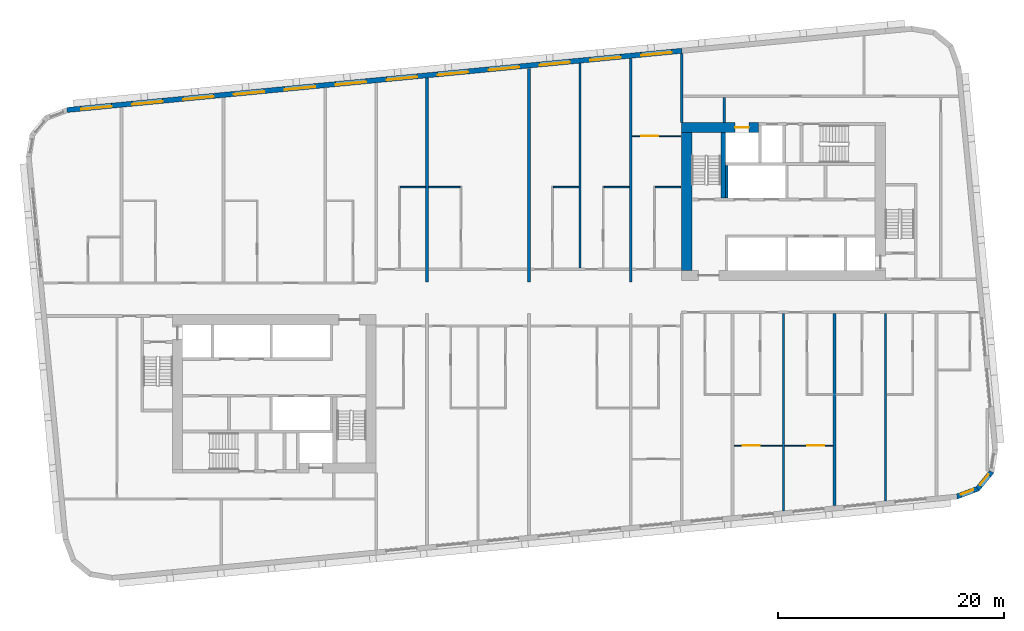
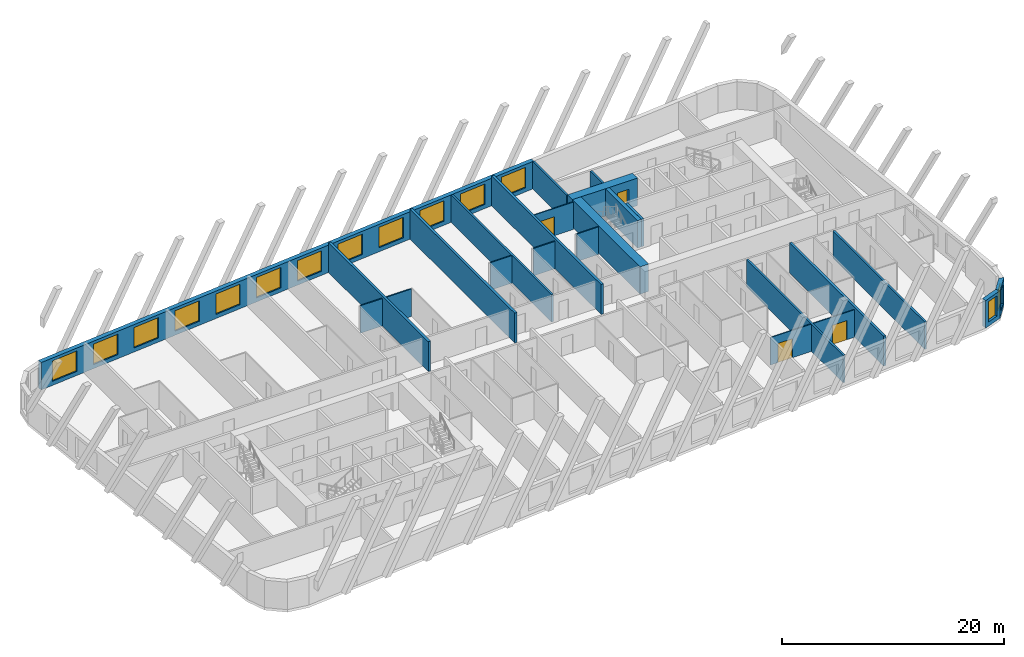
# One storey, part 6 of 13: 24 walls, 14 windows, 4 doors, 18 openings.
"""IFC4 building model written with IfcOpenShell, lengths in metres."""

from ifc_helpers import new_model, si_unit, direction, frame, frame_2d, origin, place, context, subcontext, project, spatial, polyline, rectangle, outline, extrude, material, layer, layer_set, type_object, element, fill, save


model = new_model("IFC4")

# Units and contexts
model_context = context("Model", 3, precision=1e-05, world=origin(), true_north=direction((0.0, 1.0)))
body_context = subcontext(model_context, "Body", "Model", "MODEL_VIEW")
ifc_project = project(units=[si_unit("LENGTHUNIT", "METRE"), si_unit("AREAUNIT", "SQUARE_METRE"), si_unit("VOLUMEUNIT", "CUBIC_METRE"), si_unit("PLANEANGLEUNIT", "RADIAN"), si_unit("MASSUNIT", "GRAM", prefix="KILO")], contexts=[model_context])

# Site, building, storey
site_placement = place(None, origin())
site = spatial("IfcSite", under=ifc_project, at=site_placement, CompositionType="ELEMENT")
building_placement = place(site_placement, origin())
building = spatial("IfcBuilding", under=site, at=building_placement, Name="Kajstack Hotel Tower", CompositionType="ELEMENT")
storey_placement = place(building_placement, frame((0.0, 0.0, 196.60009765625)))
storey = spatial("IfcBuildingStorey", under=building, at=storey_placement, Name="L47", CompositionType="ELEMENT", Elevation=196.60009765625)

# Wall, opening, door
ifc_material_1 = material(Name="Concrete C60/75", Category="concrete")
ifc_layer_1 = layer(ifc_material_1, 0.89990234375)
ifc_layer_set_1 = layer_set([ifc_layer_1], Name="Core wall 900")
wall_type_1 = type_object("IfcWallType", Name="Core wall 900", PredefinedType="SHEAR", material=ifc_layer_set_1)
wall_1_placement = place(storey_placement, frame((13.5, 15.050048828125, 0.0), z_axis=(0.0, 0.0, 1.0), x_axis=(1.0, 0.0, 0.0)))
wall_1 = element("IfcWall", 1, at=wall_1_placement, inside=storey, type_object=wall_type_1, Name="Core wall E RS", PredefinedType="SHEAR", context=body_context, shape_type="SweptSolid", body=[
    extrude(rectangle(XDim=6.800048828125, YDim=0.89990234375, at=frame_2d((3.39990234375, 0.0))), origin(), (0.0, 0.0, 1.0), 3.02001953125),
])
opening_1_placement = place(wall_1_placement, frame((4.72509765625, 0.0, 0.0)))
opening_1 = element("IfcOpeningElement", 2, at=opening_1_placement, cuts=wall_1, Name="Opening LD-SV2", PredefinedType="OPENING", context=body_context, shape_type="SweptSolid", body=[
    extrude(rectangle(XDim=1.199951171875, YDim=2.10009765625, at=frame_2d((0.60009765625, 1.050048828125))), frame((0.0, 0.4599609375, 0.0), z_axis=(0.0, -1.0, 0.0), x_axis=(1.0, 0.0, 0.0)), (0.0, 0.0, 1.0), 0.919921875),
])
ifc_material_2 = material(Name="Stainless steel", Category="steel")
door_type_1 = type_object("IfcDoorType", Name="Lift landing door 1200", OperationType="SLIDING_TO_LEFT", PredefinedType="DOOR", material=ifc_material_2)
door_1_placement = place(opening_1_placement, origin())
door_1 = element("IfcDoor", 3, at=door_1_placement, inside=storey, type_object=door_type_1, Name="Landing door SV2", OperationType="SLIDING_TO_LEFT", OverallHeight=2.10009765625, OverallWidth=1.199951171875, PredefinedType="DOOR", context=body_context, shape_type="SweptSolid", body=[
    extrude(rectangle(XDim=1.199951171875, YDim=2.10009765625, at=frame_2d((0.60009765625, 1.050048828125))), frame((0.0, 0.02490234375, 0.0), z_axis=(0.0, -1.0, 0.0), x_axis=(1.0, 0.0, 0.0)), (0.0, 0.0, 1.0), 0.050048828125),
])
fill(opening_1, door_1)

# Walls
wall_2_placement = place(storey_placement, frame((13.949951171875, 2.39990234375, 0.0), z_axis=(0.0, 0.0, 1.0), x_axis=(0.0, 1.0, 0.0)))
element("IfcWall", 4, at=wall_2_placement, inside=storey, type_object=wall_type_1, Name="Core wall E RE", PredefinedType="SHEAR", context=body_context, shape_type="SweptSolid", body=[
    extrude(rectangle(XDim=12.2001953125, YDim=0.89990234375, at=frame_2d((6.10009765625, 0.0))), origin(), (0.0, 0.0, 1.0), 3.02001953125),
])
ifc_material_3 = material(Name="Twin-frame gypsum board on steel studs, mineral wool", Category="steel")
ifc_layer_2 = layer(ifc_material_3, 0.199951171875)
ifc_layer_set_2 = layer_set([ifc_layer_2], Name="Demising wall 200")
wall_type_2 = type_object("IfcWallType", Name="Demising wall 200", PredefinedType="PARTITIONING", material=ifc_layer_set_2)
wall_3_placement = place(storey_placement, frame((13.5, 15.5, 0.0), z_axis=(0.0, 0.0, 1.0), x_axis=(0.0, 1.0, 0.0)))
element("IfcWall", 5, at=wall_3_placement, inside=storey, type_object=wall_type_2, Name="G-wall-L47-001", PredefinedType="PARTITIONING", context=body_context, shape_type="SweptSolid", body=[
    extrude(rectangle(XDim=6.089111328125, YDim=0.199951171875, at=frame_2d((3.04443359375, 0.0))), origin(), (0.0, 0.0, 1.0), 3.02001953125),
])
wall_4_placement = place(storey_placement, frame((4.5, 2.60009765625, 0.0), z_axis=(0.0, 0.0, 1.0), x_axis=(0.0, 1.0, 0.0)))
element("IfcWall", 6, at=wall_4_placement, inside=storey, type_object=wall_type_2, Name="G-wall-L47-018", PredefinedType="PARTITIONING", context=body_context, shape_type="SweptSolid", body=[
    extrude(rectangle(XDim=18.122802734375, YDim=0.199951171875, at=frame_2d((9.0615234375, 0.0))), origin(), (0.0, 0.0, 1.0), 3.02001953125),
])
wall_5_placement = place(storey_placement, frame((22.5, -18.833984375, 0.0), z_axis=(0.0, 0.0, 1.0), x_axis=(0.0, 1.0, 0.0)))
element("IfcWall", 7, at=wall_5_placement, inside=storey, type_object=wall_type_2, Name="G-wall-L47-043", PredefinedType="PARTITIONING", context=body_context, shape_type="SweptSolid", body=[
    extrude(rectangle(XDim=17.43408203125, YDim=0.199951171875, at=frame_2d((8.717041015625, 0.0))), origin(), (0.0, 0.0, 1.0), 3.02001953125),
])
wall_6_placement = place(storey_placement, frame((31.5, -17.967041015625, 0.0), z_axis=(0.0, 0.0, 1.0), x_axis=(0.0, 1.0, 0.0)))
element("IfcWall", 8, at=wall_6_placement, inside=storey, type_object=wall_type_2, Name="G-wall-L47-050", PredefinedType="PARTITIONING", context=body_context, shape_type="SweptSolid", body=[
    extrude(rectangle(XDim=16.567138671875, YDim=0.199951171875, at=frame_2d((8.28369140625, 0.0))), origin(), (0.0, 0.0, 1.0), 3.02001953125),
])

# Wall, opening, window
ifc_material_4 = material(Name="Terracotta-faced brick masonry", Category="masonry")
ifc_layer_3 = layer(ifc_material_4, 0.449951171875)
ifc_layer_set_3 = layer_set([ifc_layer_3], Name="EW-TERRA")
wall_type_3 = type_object("IfcWallType", Name="EW-TERRA", PredefinedType="SOLIDWALL", material=ifc_layer_set_3)
wall_7_placement = place(storey_placement, frame((37.76123046875, -17.598388671875, 0.0), z_axis=(0.0, 0.0, 1.0), x_axis=(0.936677599948, 0.350192909346, 0.0)))
wall_7 = element("IfcWall", 9, at=wall_7_placement, inside=storey, type_object=wall_type_3, Name="E-wall-L47-05-00", PredefinedType="SOLIDWALL", context=body_context, shape_type="SweptSolid", body=[
    extrude(outline(polyline([(0.0, -0.22509765625), (2.070556640625, -0.224853515625), (1.949951171875, 0.22509765625), (0.12060546875, 0.22509765625), (0.0, -0.22509765625)])), origin(), (0.0, 0.0, 1.0), 3.02001953125),
])
opening_2_placement = place(wall_7_placement, frame((0.435302734375, 0.0, 0.449951171875)))
opening_2 = element("IfcOpeningElement", 10, at=opening_2_placement, cuts=wall_7, Name="Opening W3", PredefinedType="OPENING", context=body_context, shape_type="SweptSolid", body=[
    extrude(rectangle(XDim=1.199951171875, YDim=2.25, at=frame_2d((0.60009765625, 1.125))), frame((0.0, 0.23486328125, 0.0), z_axis=(0.0, -1.0, 0.0), x_axis=(1.0, 0.0, 0.0)), (0.0, 0.0, 1.0), 0.469970703125),
])
ifc_material_5 = material(Name="Timber-aluminium window, triple glazed", Category="wood")
window_type_1 = type_object("IfcWindowType", Name="WG3", PartitioningType="SINGLE_PANEL", PredefinedType="WINDOW", material=ifc_material_5)
window_1_placement = place(opening_2_placement, origin())
window_1 = element("IfcWindow", 11, at=window_1_placement, inside=storey, type_object=window_type_1, Name="Window W3 L47-05", OverallHeight=2.25, OverallWidth=1.199951171875, PartitioningType="SINGLE_PANEL", PredefinedType="WINDOW", context=body_context, shape_type="SweptSolid", body=[
    extrude(rectangle(XDim=1.199951171875, YDim=2.25, at=frame_2d((0.60009765625, 1.125))), frame((0.0, 0.090087890625, 0.0), z_axis=(0.0, -1.0, 0.0), x_axis=(1.0, 0.0, 0.0)), (0.0, 0.0, 1.0), 0.06005859375),
])
fill(opening_2, window_1)

wall_8_placement = place(storey_placement, frame((39.60595703125, -16.94091796875, 0.0), z_axis=(0.0, 0.0, 1.0), x_axis=(0.636116318187, 0.771593176315, 0.0)))
wall_8 = element("IfcWall", 12, at=wall_8_placement, inside=storey, type_object=wall_type_3, Name="E-wall-L47-06-00", PredefinedType="SOLIDWALL", context=body_context, shape_type="SweptSolid", body=[
    extrude(outline(polyline([(0.0, -0.224853515625), (2.070556640625, -0.224853515625), (1.949951171875, 0.22509765625), (0.12060546875, 0.22509765625), (0.0, -0.224853515625)])), origin(), (0.0, 0.0, 1.0), 3.02001953125),
])
opening_3_placement = place(wall_8_placement, frame((0.435302734375, 0.0, 0.449951171875)))
opening_3 = element("IfcOpeningElement", 13, at=opening_3_placement, cuts=wall_8, Name="Opening W3", PredefinedType="OPENING", context=body_context, shape_type="SweptSolid", body=[
    extrude(rectangle(XDim=1.199951171875, YDim=2.25, at=frame_2d((0.60009765625, 1.125))), frame((0.0, 0.23486328125, 0.0), z_axis=(0.0, -1.0, 0.0), x_axis=(1.0, 0.0, 0.0)), (0.0, 0.0, 1.0), 0.469970703125),
])
window_2_placement = place(opening_3_placement, origin())
window_2 = element("IfcWindow", 14, at=window_2_placement, inside=storey, type_object=window_type_1, Name="Window W3 L47-06", OverallHeight=2.25, OverallWidth=1.199951171875, PartitioningType="SINGLE_PANEL", PredefinedType="WINDOW", context=body_context, shape_type="SweptSolid", body=[
    extrude(rectangle(XDim=1.199951171875, YDim=2.25, at=frame_2d((0.60009765625, 1.125))), frame((0.0, 0.090087890625, 0.0), z_axis=(0.0, -1.0, 0.0), x_axis=(1.0, 0.0, 0.0)), (0.0, 0.0, 1.0), 0.06005859375),
])
fill(opening_3, window_2)

# Wall, openings, windows
wall_9_placement = place(storey_placement, frame((13.521484375, 21.8173828125, 0.0), z_axis=(0.0, 0.0, 1.0), x_axis=(-0.995396508751, -0.095842529008, 0.0)))
wall_9 = element("IfcWall", 15, at=wall_9_placement, inside=storey, type_object=wall_type_3, Name="E-wall-L47-12-02", PredefinedType="SOLIDWALL", context=body_context, shape_type="SweptSolid", body=[
    extrude(rectangle(XDim=54.59130859375, YDim=0.449951171875, at=frame_2d((27.295654296875, 0.0))), origin(), (0.0, 0.0, 1.0), 3.02001953125),
])
opening_4_placement = place(wall_9_placement, frame((0.910400390625, 0.0, 0.449951171875)))
opening_4 = element("IfcOpeningElement", 16, at=opening_4_placement, cuts=wall_9, Name="Opening W1", PredefinedType="OPENING", context=body_context, shape_type="SweptSolid", body=[
    extrude(rectangle(XDim=2.699951171875, YDim=2.25, at=frame_2d((1.35009765625, 1.125))), frame((0.0, 0.23486328125, 0.0), z_axis=(0.0, -1.0, 0.0), x_axis=(1.0, 0.0, 0.0)), (0.0, 0.0, 1.0), 0.469970703125),
])
opening_5_placement = place(wall_9_placement, frame((5.43115234375, 0.0, 0.449951171875)))
opening_5 = element("IfcOpeningElement", 17, at=opening_5_placement, cuts=wall_9, Name="Opening W1", PredefinedType="OPENING", context=body_context, shape_type="SweptSolid", body=[
    extrude(rectangle(XDim=2.699951171875, YDim=2.25, at=frame_2d((1.35009765625, 1.125))), frame((0.0, 0.23486328125, 0.0), z_axis=(0.0, -1.0, 0.0), x_axis=(1.0, 0.0, 0.0)), (0.0, 0.0, 1.0), 0.469970703125),
])
opening_6_placement = place(wall_9_placement, frame((9.951904296875, 0.0, 0.449951171875)))
opening_6 = element("IfcOpeningElement", 18, at=opening_6_placement, cuts=wall_9, Name="Opening W1", PredefinedType="OPENING", context=body_context, shape_type="SweptSolid", body=[
    extrude(rectangle(XDim=2.699951171875, YDim=2.25, at=frame_2d((1.35009765625, 1.125))), frame((0.0, 0.23486328125, 0.0), z_axis=(0.0, -1.0, 0.0), x_axis=(1.0, 0.0, 0.0)), (0.0, 0.0, 1.0), 0.469970703125),
])
opening_7_placement = place(wall_9_placement, frame((14.472900390625, 0.0, 0.449951171875)))
opening_7 = element("IfcOpeningElement", 19, at=opening_7_placement, cuts=wall_9, Name="Opening W1", PredefinedType="OPENING", context=body_context, shape_type="SweptSolid", body=[
    extrude(rectangle(XDim=2.699951171875, YDim=2.25, at=frame_2d((1.35009765625, 1.125))), frame((0.0, 0.23486328125, 0.0), z_axis=(0.0, -1.0, 0.0), x_axis=(1.0, 0.0, 0.0)), (0.0, 0.0, 1.0), 0.469970703125),
])
opening_8_placement = place(wall_9_placement, frame((18.99365234375, 0.0, 0.449951171875)))
opening_8 = element("IfcOpeningElement", 20, at=opening_8_placement, cuts=wall_9, Name="Opening W1", PredefinedType="OPENING", context=body_context, shape_type="SweptSolid", body=[
    extrude(rectangle(XDim=2.699951171875, YDim=2.25, at=frame_2d((1.35009765625, 1.125))), frame((0.0, 0.23486328125, 0.0), z_axis=(0.0, -1.0, 0.0), x_axis=(1.0, 0.0, 0.0)), (0.0, 0.0, 1.0), 0.469970703125),
])
opening_9_placement = place(wall_9_placement, frame((23.514404296875, 0.0, 0.449951171875)))
opening_9 = element("IfcOpeningElement", 21, at=opening_9_placement, cuts=wall_9, Name="Opening W1", PredefinedType="OPENING", context=body_context, shape_type="SweptSolid", body=[
    extrude(rectangle(XDim=2.699951171875, YDim=2.25, at=frame_2d((1.35009765625, 1.125))), frame((0.0, 0.23486328125, 0.0), z_axis=(0.0, -1.0, 0.0), x_axis=(1.0, 0.0, 0.0)), (0.0, 0.0, 1.0), 0.469970703125),
])
opening_10_placement = place(wall_9_placement, frame((28.03515625, 0.0, 0.449951171875)))
opening_10 = element("IfcOpeningElement", 22, at=opening_10_placement, cuts=wall_9, Name="Opening W1", PredefinedType="OPENING", context=body_context, shape_type="SweptSolid", body=[
    extrude(rectangle(XDim=2.699951171875, YDim=2.25, at=frame_2d((1.35009765625, 1.125))), frame((0.0, 0.23486328125, 0.0), z_axis=(0.0, -1.0, 0.0), x_axis=(1.0, 0.0, 0.0)), (0.0, 0.0, 1.0), 0.469970703125),
])
opening_11_placement = place(wall_9_placement, frame((32.555908203125, 0.0, 0.449951171875)))
opening_11 = element("IfcOpeningElement", 23, at=opening_11_placement, cuts=wall_9, Name="Opening W1", PredefinedType="OPENING", context=body_context, shape_type="SweptSolid", body=[
    extrude(rectangle(XDim=2.699951171875, YDim=2.25, at=frame_2d((1.35009765625, 1.125))), frame((0.0, 0.23486328125, 0.0), z_axis=(0.0, -1.0, 0.0), x_axis=(1.0, 0.0, 0.0)), (0.0, 0.0, 1.0), 0.469970703125),
])
opening_12_placement = place(wall_9_placement, frame((37.076904296875, 0.0, 0.449951171875)))
opening_12 = element("IfcOpeningElement", 24, at=opening_12_placement, cuts=wall_9, Name="Opening W1", PredefinedType="OPENING", context=body_context, shape_type="SweptSolid", body=[
    extrude(rectangle(XDim=2.699951171875, YDim=2.25, at=frame_2d((1.35009765625, 1.125))), frame((0.0, 0.23486328125, 0.0), z_axis=(0.0, -1.0, 0.0), x_axis=(1.0, 0.0, 0.0)), (0.0, 0.0, 1.0), 0.469970703125),
])
opening_13_placement = place(wall_9_placement, frame((41.59765625, 0.0, 0.449951171875)))
opening_13 = element("IfcOpeningElement", 25, at=opening_13_placement, cuts=wall_9, Name="Opening W1", PredefinedType="OPENING", context=body_context, shape_type="SweptSolid", body=[
    extrude(rectangle(XDim=2.699951171875, YDim=2.25, at=frame_2d((1.35009765625, 1.125))), frame((0.0, 0.23486328125, 0.0), z_axis=(0.0, -1.0, 0.0), x_axis=(1.0, 0.0, 0.0)), (0.0, 0.0, 1.0), 0.469970703125),
])
opening_14_placement = place(wall_9_placement, frame((46.118408203125, 0.0, 0.449951171875)))
opening_14 = element("IfcOpeningElement", 26, at=opening_14_placement, cuts=wall_9, Name="Opening W1", PredefinedType="OPENING", context=body_context, shape_type="SweptSolid", body=[
    extrude(rectangle(XDim=2.699951171875, YDim=2.25, at=frame_2d((1.35009765625, 1.125))), frame((0.0, 0.23486328125, 0.0), z_axis=(0.0, -1.0, 0.0), x_axis=(1.0, 0.0, 0.0)), (0.0, 0.0, 1.0), 0.469970703125),
])
opening_15_placement = place(wall_9_placement, frame((50.62890625, 0.0, 0.449951171875)))
opening_15 = element("IfcOpeningElement", 27, at=opening_15_placement, cuts=wall_9, Name="Opening W1", PredefinedType="OPENING", context=body_context, shape_type="SweptSolid", body=[
    extrude(rectangle(XDim=2.699951171875, YDim=2.25, at=frame_2d((1.35009765625, 1.125))), frame((0.0, 0.23486328125, 0.0), z_axis=(0.0, -1.0, 0.0), x_axis=(1.0, 0.0, 0.0)), (0.0, 0.0, 1.0), 0.469970703125),
])
window_type_2 = type_object("IfcWindowType", Name="WG1", PartitioningType="SINGLE_PANEL", PredefinedType="WINDOW", material=ifc_material_5)
window_3_placement = place(opening_4_placement, origin())
window_3 = element("IfcWindow", 28, at=window_3_placement, inside=storey, type_object=window_type_2, Name="Window W1 L47-12", OverallHeight=2.25, OverallWidth=2.699951171875, PartitioningType="SINGLE_PANEL", PredefinedType="WINDOW", context=body_context, shape_type="SweptSolid", body=[
    extrude(rectangle(XDim=2.699951171875, YDim=2.25, at=frame_2d((1.35009765625, 1.125))), frame((0.0, 0.090087890625, 0.0), z_axis=(0.0, -1.0, 0.0), x_axis=(1.0, 0.0, 0.0)), (0.0, 0.0, 1.0), 0.06005859375),
])
fill(opening_4, window_3)
window_4_placement = place(opening_5_placement, origin())
window_4 = element("IfcWindow", 29, at=window_4_placement, inside=storey, type_object=window_type_2, Name="Window W1 L47-12", OverallHeight=2.25, OverallWidth=2.699951171875, PartitioningType="SINGLE_PANEL", PredefinedType="WINDOW", context=body_context, shape_type="SweptSolid", body=[
    extrude(rectangle(XDim=2.699951171875, YDim=2.25, at=frame_2d((1.35009765625, 1.125))), frame((0.0, 0.090087890625, 0.0), z_axis=(0.0, -1.0, 0.0), x_axis=(1.0, 0.0, 0.0)), (0.0, 0.0, 1.0), 0.06005859375),
])
fill(opening_5, window_4)
window_5_placement = place(opening_6_placement, origin())
window_5 = element("IfcWindow", 30, at=window_5_placement, inside=storey, type_object=window_type_2, Name="Window W1 L47-12", OverallHeight=2.25, OverallWidth=2.699951171875, PartitioningType="SINGLE_PANEL", PredefinedType="WINDOW", context=body_context, shape_type="SweptSolid", body=[
    extrude(rectangle(XDim=2.699951171875, YDim=2.25, at=frame_2d((1.35009765625, 1.125))), frame((0.0, 0.090087890625, 0.0), z_axis=(0.0, -1.0, 0.0), x_axis=(1.0, 0.0, 0.0)), (0.0, 0.0, 1.0), 0.06005859375),
])
fill(opening_6, window_5)
window_6_placement = place(opening_7_placement, origin())
window_6 = element("IfcWindow", 31, at=window_6_placement, inside=storey, type_object=window_type_2, Name="Window W1 L47-12", OverallHeight=2.25, OverallWidth=2.699951171875, PartitioningType="SINGLE_PANEL", PredefinedType="WINDOW", context=body_context, shape_type="SweptSolid", body=[
    extrude(rectangle(XDim=2.699951171875, YDim=2.25, at=frame_2d((1.35009765625, 1.125))), frame((0.0, 0.090087890625, 0.0), z_axis=(0.0, -1.0, 0.0), x_axis=(1.0, 0.0, 0.0)), (0.0, 0.0, 1.0), 0.06005859375),
])
fill(opening_7, window_6)
window_7_placement = place(opening_8_placement, origin())
window_7 = element("IfcWindow", 32, at=window_7_placement, inside=storey, type_object=window_type_2, Name="Window W1 L47-12", OverallHeight=2.25, OverallWidth=2.699951171875, PartitioningType="SINGLE_PANEL", PredefinedType="WINDOW", context=body_context, shape_type="SweptSolid", body=[
    extrude(rectangle(XDim=2.699951171875, YDim=2.25, at=frame_2d((1.35009765625, 1.125))), frame((0.0, 0.090087890625, 0.0), z_axis=(0.0, -1.0, 0.0), x_axis=(1.0, 0.0, 0.0)), (0.0, 0.0, 1.0), 0.06005859375),
])
fill(opening_8, window_7)
window_8_placement = place(opening_9_placement, origin())
window_8 = element("IfcWindow", 33, at=window_8_placement, inside=storey, type_object=window_type_2, Name="Window W1 L47-12", OverallHeight=2.25, OverallWidth=2.699951171875, PartitioningType="SINGLE_PANEL", PredefinedType="WINDOW", context=body_context, shape_type="SweptSolid", body=[
    extrude(rectangle(XDim=2.699951171875, YDim=2.25, at=frame_2d((1.35009765625, 1.125))), frame((0.0, 0.090087890625, 0.0), z_axis=(0.0, -1.0, 0.0), x_axis=(1.0, 0.0, 0.0)), (0.0, 0.0, 1.0), 0.06005859375),
])
fill(opening_9, window_8)
window_9_placement = place(opening_10_placement, origin())
window_9 = element("IfcWindow", 34, at=window_9_placement, inside=storey, type_object=window_type_2, Name="Window W1 L47-12", OverallHeight=2.25, OverallWidth=2.699951171875, PartitioningType="SINGLE_PANEL", PredefinedType="WINDOW", context=body_context, shape_type="SweptSolid", body=[
    extrude(rectangle(XDim=2.699951171875, YDim=2.25, at=frame_2d((1.35009765625, 1.125))), frame((0.0, 0.090087890625, 0.0), z_axis=(0.0, -1.0, 0.0), x_axis=(1.0, 0.0, 0.0)), (0.0, 0.0, 1.0), 0.06005859375),
])
fill(opening_10, window_9)
window_10_placement = place(opening_11_placement, origin())
window_10 = element("IfcWindow", 35, at=window_10_placement, inside=storey, type_object=window_type_2, Name="Window W1 L47-12", OverallHeight=2.25, OverallWidth=2.699951171875, PartitioningType="SINGLE_PANEL", PredefinedType="WINDOW", context=body_context, shape_type="SweptSolid", body=[
    extrude(rectangle(XDim=2.699951171875, YDim=2.25, at=frame_2d((1.35009765625, 1.125))), frame((0.0, 0.090087890625, 0.0), z_axis=(0.0, -1.0, 0.0), x_axis=(1.0, 0.0, 0.0)), (0.0, 0.0, 1.0), 0.06005859375),
])
fill(opening_11, window_10)
window_11_placement = place(opening_12_placement, origin())
window_11 = element("IfcWindow", 36, at=window_11_placement, inside=storey, type_object=window_type_2, Name="Window W1 L47-12", OverallHeight=2.25, OverallWidth=2.699951171875, PartitioningType="SINGLE_PANEL", PredefinedType="WINDOW", context=body_context, shape_type="SweptSolid", body=[
    extrude(rectangle(XDim=2.699951171875, YDim=2.25, at=frame_2d((1.35009765625, 1.125))), frame((0.0, 0.090087890625, 0.0), z_axis=(0.0, -1.0, 0.0), x_axis=(1.0, 0.0, 0.0)), (0.0, 0.0, 1.0), 0.06005859375),
])
fill(opening_12, window_11)
window_12_placement = place(opening_13_placement, origin())
window_12 = element("IfcWindow", 37, at=window_12_placement, inside=storey, type_object=window_type_2, Name="Window W1 L47-12", OverallHeight=2.25, OverallWidth=2.699951171875, PartitioningType="SINGLE_PANEL", PredefinedType="WINDOW", context=body_context, shape_type="SweptSolid", body=[
    extrude(rectangle(XDim=2.699951171875, YDim=2.25, at=frame_2d((1.35009765625, 1.125))), frame((0.0, 0.090087890625, 0.0), z_axis=(0.0, -1.0, 0.0), x_axis=(1.0, 0.0, 0.0)), (0.0, 0.0, 1.0), 0.06005859375),
])
fill(opening_13, window_12)
window_13_placement = place(opening_14_placement, origin())
window_13 = element("IfcWindow", 38, at=window_13_placement, inside=storey, type_object=window_type_2, Name="Window W1 L47-12", OverallHeight=2.25, OverallWidth=2.699951171875, PartitioningType="SINGLE_PANEL", PredefinedType="WINDOW", context=body_context, shape_type="SweptSolid", body=[
    extrude(rectangle(XDim=2.699951171875, YDim=2.25, at=frame_2d((1.35009765625, 1.125))), frame((0.0, 0.090087890625, 0.0), z_axis=(0.0, -1.0, 0.0), x_axis=(1.0, 0.0, 0.0)), (0.0, 0.0, 1.0), 0.06005859375),
])
fill(opening_14, window_13)
window_14_placement = place(opening_15_placement, origin())
window_14 = element("IfcWindow", 39, at=window_14_placement, inside=storey, type_object=window_type_2, Name="Window W1 L47-12", OverallHeight=2.25, OverallWidth=2.699951171875, PartitioningType="SINGLE_PANEL", PredefinedType="WINDOW", context=body_context, shape_type="SweptSolid", body=[
    extrude(rectangle(XDim=2.699951171875, YDim=2.25, at=frame_2d((1.35009765625, 1.125))), frame((0.0, 0.090087890625, 0.0), z_axis=(0.0, -1.0, 0.0), x_axis=(1.0, 0.0, 0.0)), (0.0, 0.0, 1.0), 0.06005859375),
])
fill(opening_15, window_14)

# Walls
ifc_material_6 = material(Name="Gypsum board and tiled backer on steel studs", Category="steel")
ifc_layer_4 = layer(ifc_material_6, 0.125)
ifc_layer_set_4 = layer_set([ifc_layer_4], Name="En-suite wall 125")
wall_type_4 = type_object("IfcWallType", Name="En-suite wall 125", PredefinedType="PARTITIONING", material=ifc_layer_set_4)
wall_10_placement = place(storey_placement, frame((-11.375, 9.761962890625, 0.0), z_axis=(0.0, 0.0, 1.0), x_axis=(1.0, 0.0, 0.0)))
element("IfcWall", 40, at=wall_10_placement, inside=storey, type_object=wall_type_4, Name="G-wall-L47-015", PredefinedType="PARTITIONING", context=body_context, shape_type="SweptSolid", body=[
    extrude(rectangle(XDim=2.25, YDim=0.125, at=frame_2d((1.125, 0.0))), origin(), (0.0, 0.0, 1.0), 3.02001953125),
])
wall_11_placement = place(storey_placement, frame((-8.875, 9.761962890625, 0.0), z_axis=(0.0, 0.0, 1.0), x_axis=(1.0, 0.0, 0.0)))
element("IfcWall", 41, at=wall_11_placement, inside=storey, type_object=wall_type_4, Name="G-wall-L47-017", PredefinedType="PARTITIONING", context=body_context, shape_type="SweptSolid", body=[
    extrude(rectangle(XDim=2.800048828125, YDim=0.125, at=frame_2d((1.39990234375, 0.0))), origin(), (0.0, 0.0, 1.0), 3.02001953125),
])
for number, where, z_axis, x_axis, name in (
    (42, (2.14990234375, 9.761962890625, 0.0), (0.0, 0.0, 1.0), (1.0, 0.0, 0.0), "G-wall-L47-020"),
    (43, (6.625, 9.761962890625, 0.0), (0.0, 0.0, 1.0), (1.0, 0.0, 0.0), "G-wall-L47-022"),
    (44, (11.14990234375, 9.761962890625, 0.0), (0.0, 0.0, 1.0), (1.0, 0.0, 0.0), "G-wall-L47-024"),
):
    element("IfcWall", number, at=place(storey_placement, frame(where, z_axis=z_axis, x_axis=x_axis)), inside=storey, type_object=wall_type_4, Name=name, PredefinedType="PARTITIONING", context=body_context, shape_type="SweptSolid", body=[
        extrude(rectangle(XDim=2.25, YDim=0.125, at=frame_2d((1.125, 0.0))), origin(), (0.0, 0.0, 1.0), 3.02001953125),
    ])

# Wall, opening, door
ifc_material_7 = material(Name="Gypsum board on steel studs", Category="steel")
ifc_layer_5 = layer(ifc_material_7, 0.10009765625)
ifc_layer_set_5 = layer_set([ifc_layer_5], Name="Partition 100")
wall_type_5 = type_object("IfcWallType", Name="Partition 100", PredefinedType="PARTITIONING", material=ifc_layer_set_5)
wall_12_placement = place(storey_placement, frame((9.125, 14.27490234375, 0.0), z_axis=(0.0, 0.0, 1.0), x_axis=(1.0, 0.0, 0.0)))
wall_12 = element("IfcWall", 45, at=wall_12_placement, inside=storey, type_object=wall_type_5, Name="G-wall-L47-025", PredefinedType="PARTITIONING", context=body_context, shape_type="SweptSolid", body=[
    extrude(rectangle(XDim=4.27490234375, YDim=0.10009765625, at=frame_2d((2.137451171875, 0.0))), origin(), (0.0, 0.0, 1.0), 3.02001953125),
])
opening_16_placement = place(wall_12_placement, frame((0.787109375, 0.0, 0.0)))
opening_16 = element("IfcOpeningElement", 46, at=opening_16_placement, cuts=wall_12, Name="Opening 47019", PredefinedType="OPENING", context=body_context, shape_type="SweptSolid", body=[
    extrude(rectangle(XDim=1.5, YDim=2.10009765625, at=frame_2d((0.75, 1.050048828125))), frame((0.0, 0.06005859375, 0.0), z_axis=(0.0, -1.0, 0.0), x_axis=(1.0, 0.0, 0.0)), (0.0, 0.0, 1.0), 0.1201171875),
])
ifc_material_8 = material(Name="Painted timber door leaves, glazed panels", Category="wood")
door_type_2 = type_object("IfcDoorType", Name="Double door 1500", OperationType="SINGLE_SWING_LEFT", PredefinedType="DOOR", material=ifc_material_8)
door_2_placement = place(opening_16_placement, origin())
door_2 = element("IfcDoor", 47, at=door_2_placement, inside=storey, type_object=door_type_2, Name="G-door-L47-19", OperationType="SINGLE_SWING_RIGHT", OverallHeight=2.10009765625, OverallWidth=1.5, PredefinedType="DOOR", context=body_context, shape_type="SweptSolid", body=[
    extrude(rectangle(XDim=1.5, YDim=2.10009765625, at=frame_2d((0.75, 1.050048828125))), frame((0.0, 0.02490234375, 0.0), z_axis=(0.0, -1.0, 0.0), x_axis=(1.0, 0.0, 0.0)), (0.0, 0.0, 1.0), 0.050048828125),
])
fill(opening_16, door_2)

wall_13_placement = place(storey_placement, frame((18.125, -13.074951171875, 0.0), z_axis=(0.0, 0.0, 1.0), x_axis=(1.0, 0.0, 0.0)))
wall_13 = element("IfcWall", 48, at=wall_13_placement, inside=storey, type_object=wall_type_5, Name="G-wall-L47-046", PredefinedType="PARTITIONING", context=body_context, shape_type="SweptSolid", body=[
    extrude(rectangle(XDim=4.27490234375, YDim=0.10009765625, at=frame_2d((2.137451171875, 0.0))), origin(), (0.0, 0.0, 1.0), 3.02001953125),
])
opening_17_placement = place(wall_13_placement, frame((0.787109375, 0.0, 0.0)))
opening_17 = element("IfcOpeningElement", 49, at=opening_17_placement, cuts=wall_13, Name="Opening 47035", PredefinedType="OPENING", context=body_context, shape_type="SweptSolid", body=[
    extrude(rectangle(XDim=1.5, YDim=2.10009765625, at=frame_2d((0.75, 1.050048828125))), frame((0.0, 0.06005859375, 0.0), z_axis=(0.0, -1.0, 0.0), x_axis=(1.0, 0.0, 0.0)), (0.0, 0.0, 1.0), 0.1201171875),
])
door_3_placement = place(opening_17_placement, origin())
door_3 = element("IfcDoor", 50, at=door_3_placement, inside=storey, type_object=door_type_2, Name="G-door-L47-35", OperationType="SINGLE_SWING_LEFT", OverallHeight=2.10009765625, OverallWidth=1.5, PredefinedType="DOOR", context=body_context, shape_type="SweptSolid", body=[
    extrude(rectangle(XDim=1.5, YDim=2.10009765625, at=frame_2d((0.75, 1.050048828125))), frame((0.0, 0.02490234375, 0.0), z_axis=(0.0, -1.0, 0.0), x_axis=(1.0, 0.0, 0.0)), (0.0, 0.0, 1.0), 0.050048828125),
])
fill(opening_17, door_3)

wall_14_placement = place(storey_placement, frame((22.60009765625, -13.074951171875, 0.0), z_axis=(0.0, 0.0, 1.0), x_axis=(1.0, 0.0, 0.0)))
wall_14 = element("IfcWall", 51, at=wall_14_placement, inside=storey, type_object=wall_type_5, Name="G-wall-L47-049", PredefinedType="PARTITIONING", context=body_context, shape_type="SweptSolid", body=[
    extrude(rectangle(XDim=4.27490234375, YDim=0.10009765625, at=frame_2d((2.137451171875, 0.0))), origin(), (0.0, 0.0, 1.0), 3.02001953125),
])
opening_18_placement = place(wall_14_placement, frame((1.988037109375, 0.0, 0.0)))
opening_18 = element("IfcOpeningElement", 52, at=opening_18_placement, cuts=wall_14, Name="Opening 47038", PredefinedType="OPENING", context=body_context, shape_type="SweptSolid", body=[
    extrude(rectangle(XDim=1.5, YDim=2.10009765625, at=frame_2d((0.75, 1.050048828125))), frame((0.0, 0.06005859375, 0.0), z_axis=(0.0, -1.0, 0.0), x_axis=(1.0, 0.0, 0.0)), (0.0, 0.0, 1.0), 0.1201171875),
])
door_4_placement = place(opening_18_placement, origin())
door_4 = element("IfcDoor", 53, at=door_4_placement, inside=storey, type_object=door_type_2, Name="G-door-L47-38", OperationType="SINGLE_SWING_LEFT", OverallHeight=2.10009765625, OverallWidth=1.5, PredefinedType="DOOR", context=body_context, shape_type="SweptSolid", body=[
    extrude(rectangle(XDim=1.5, YDim=2.10009765625, at=frame_2d((0.75, 1.050048828125))), frame((0.0, 0.02490234375, 0.0), z_axis=(0.0, -1.0, 0.0), x_axis=(1.0, 0.0, 0.0)), (0.0, 0.0, 1.0), 0.050048828125),
])
fill(opening_18, door_4)

# Walls
ifc_material_9 = material(Name="Concrete C50/60", Category="concrete")
ifc_layer_6 = layer(ifc_material_9, 0.25)
ifc_layer_set_6 = layer_set([ifc_layer_6], Name="RC cross wall 250 C50/60")
wall_type_6 = type_object("IfcWallType", Name="RC cross wall 250 C50/60", PredefinedType="SHEAR", material=ifc_layer_set_6)
wall_15_placement = place(storey_placement, frame((-9.0, 1.39990234375, 0.0), z_axis=(0.0, 0.0, 1.0), x_axis=(0.0, 1.0, 0.0)))
element("IfcWall", 54, at=wall_15_placement, inside=storey, type_object=wall_type_6, Name="S-wall-L47-05", PredefinedType="SHEAR", context=body_context, shape_type="SweptSolid", body=[
    extrude(rectangle(XDim=18.0009765625, YDim=0.25, at=frame_2d((9.00048828125, 0.0))), origin(), (0.0, 0.0, 1.0), 3.2998046875),
])
wall_16_placement = place(storey_placement, frame((0.0, 1.39990234375, 0.0), z_axis=(0.0, 0.0, 1.0), x_axis=(0.0, 1.0, 0.0)))
element("IfcWall", 55, at=wall_16_placement, inside=storey, type_object=wall_type_6, Name="S-wall-L47-07", PredefinedType="SHEAR", context=body_context, shape_type="SweptSolid", body=[
    extrude(rectangle(XDim=18.867431640625, YDim=0.25, at=frame_2d((9.43359375, 0.0))), origin(), (0.0, 0.0, 1.0), 3.2998046875),
])
wall_17_placement = place(storey_placement, frame((9.0, 1.39990234375, 0.0), z_axis=(0.0, 0.0, 1.0), x_axis=(0.0, 1.0, 0.0)))
element("IfcWall", 56, at=wall_17_placement, inside=storey, type_object=wall_type_6, Name="S-wall-L47-09", PredefinedType="SHEAR", context=body_context, shape_type="SweptSolid", body=[
    extrude(rectangle(XDim=19.734130859375, YDim=0.25, at=frame_2d((9.8671875, 0.0))), origin(), (0.0, 0.0, 1.0), 3.2998046875),
])
wall_18_placement = place(storey_placement, frame((27.0, -18.378662109375, 0.0), z_axis=(0.0, 0.0, 1.0), x_axis=(0.0, 1.0, 0.0)))
element("IfcWall", 57, at=wall_18_placement, inside=storey, type_object=wall_type_6, Name="S-wall-L47-11", PredefinedType="SHEAR", context=body_context, shape_type="SweptSolid", body=[
    extrude(rectangle(XDim=16.978759765625, YDim=0.25, at=frame_2d((8.4892578125, 0.0))), origin(), (0.0, 0.0, 1.0), 3.2998046875),
])
ifc_material_10 = material(Name="Gypsum board on steel studs, mineral wool", Category="steel")
ifc_layer_7 = layer(ifc_material_10, 0.199951171875)
ifc_layer_set_7 = layer_set([ifc_layer_7], Name="Service partition 200")
wall_type_7 = type_object("IfcWallType", Name="Service partition 200", PredefinedType="PARTITIONING", material=ifc_layer_set_7)
wall_19_placement = place(storey_placement, frame((17.25, 15.5, 0.0), z_axis=(0.0, 0.0, 1.0), x_axis=(0.0, 1.0, 0.0)))
element("IfcWall", 58, at=wall_19_placement, inside=storey, type_object=wall_type_7, Name="Partition E SCE", PredefinedType="PARTITIONING", context=body_context, shape_type="SweptSolid", body=[
    extrude(rectangle(XDim=2.199951171875, YDim=0.199951171875, at=frame_2d((1.10009765625, 0.0))), origin(), (0.0, 0.0, 1.0), 3.02001953125),
])
ifc_layer_8 = layer(ifc_material_9, 0.25)
ifc_layer_set_8 = layer_set([ifc_layer_8], Name="Shaft wall 250")
wall_type_8 = type_object("IfcWallType", Name="Shaft wall 250", PredefinedType="SHEAR", material=ifc_layer_set_8)
wall_20_placement = place(storey_placement, frame((17.47509765625, 8.800048828125, 0.0), z_axis=(0.0, 0.0, 1.0), x_axis=(0.0, 1.0, 0.0)))
element("IfcWall", 59, at=wall_20_placement, inside=storey, type_object=wall_type_8, Name="Core wall E BE", PredefinedType="SHEAR", context=body_context, shape_type="SweptSolid", body=[
    extrude(rectangle(XDim=2.89990234375, YDim=0.25, at=frame_2d((1.449951171875, 0.0))), origin(), (0.0, 0.0, 1.0), 3.02001953125),
])
ifc_layer_9 = layer(ifc_material_9, 0.39990234375)
ifc_layer_set_9 = layer_set([ifc_layer_9], Name="Stair wall 400")
wall_type_9 = type_object("IfcWallType", Name="Stair wall 400", PredefinedType="SHEAR", material=ifc_layer_set_9)
wall_21_placement = place(storey_placement, frame((17.14990234375, 8.800048828125, 0.0), z_axis=(0.0, 0.0, 1.0), x_axis=(0.0, 1.0, 0.0)))
element("IfcWall", 60, at=wall_21_placement, inside=storey, type_object=wall_type_9, Name="Core wall E WW2", PredefinedType="SHEAR", context=body_context, shape_type="SweptSolid", body=[
    extrude(rectangle(XDim=5.800048828125, YDim=0.39990234375, at=frame_2d((2.89990234375, 0.0))), origin(), (0.0, 0.0, 1.0), 3.02001953125),
])

save(model, "model.ifc")
